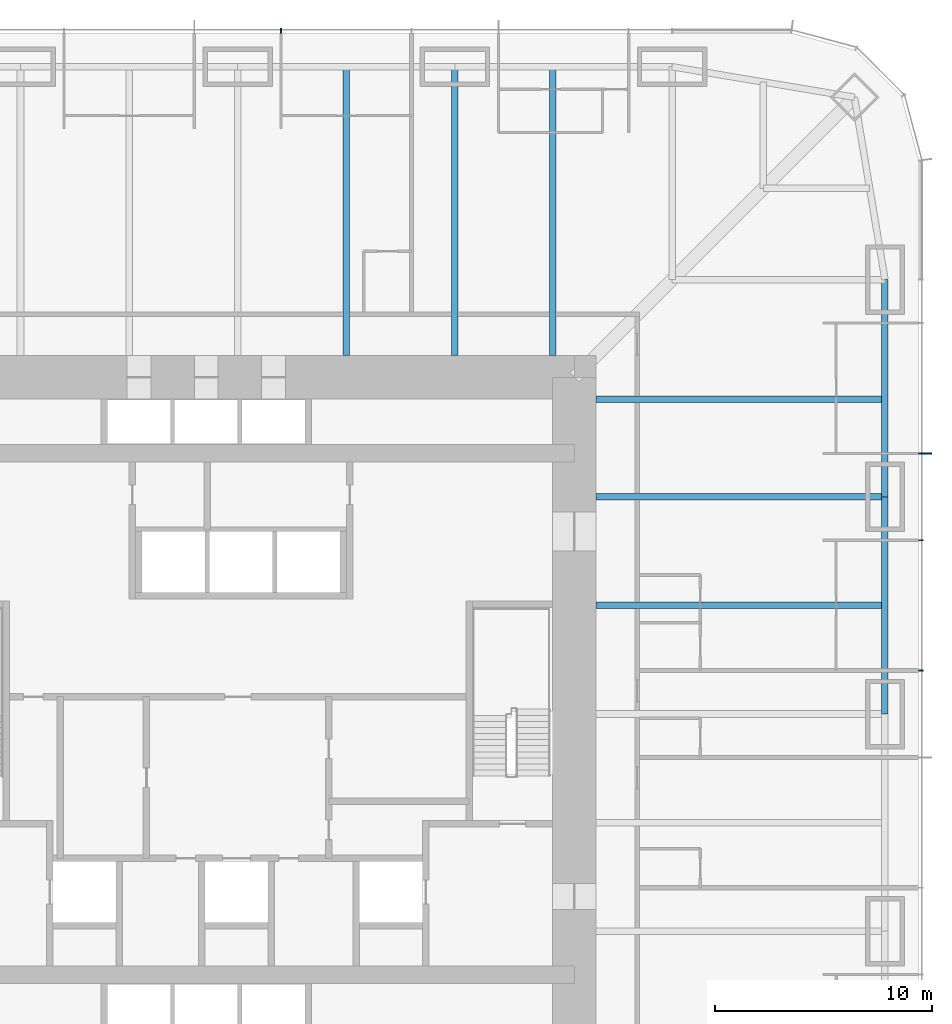
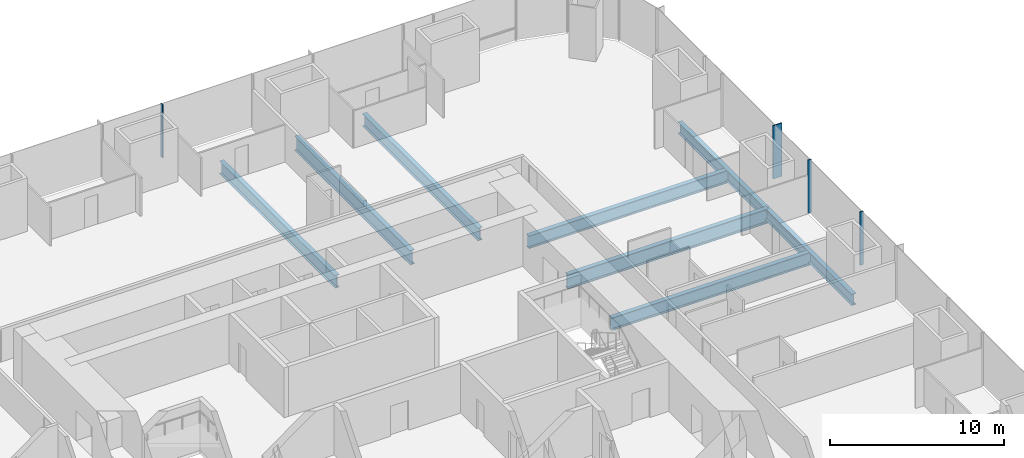
# One storey, part 8 of 16: 8 beams, 4 members, 2 elements without a shape of their own.
"""IFC4 building model written with IfcOpenShell, lengths in metres."""

import ifcopenshell
import ifcopenshell.guid

model = None  # the IFC model being written
_history = None  # IfcOwnerHistory: only IFC2X3 demands one
_inside = {}  # id of a spatial element -> (the spatial element, [elements in it])
_under = {}  # id of a project, library or spatial element -> (it, [spatial elements below it])
_declared = {}  # id of a project -> (the project, [libraries it declares])
_typed = {}  # id of a type object -> (the type object, [elements of that type])
_made_of = {}  # id of a material, layer set ... -> (it, [elements and type objects made of it])


def new_model(schema):
    """Start an empty IFC model of exactly this schema.

    Asked for "IFC4X3", IfcOpenShell would pick the latest addendum, in which some entities
    have other attributes; the version numbers below select the first issue.
    IFC2X3 requires an IfcOwnerHistory on every rooted entity: one is made here for all.
    """
    global model, _history
    if schema == "IFC4X3":
        model = ifcopenshell.file(schema_version=(4, 3, 0, 0))
    else:
        model = ifcopenshell.file(schema=schema)
    _inside.clear()
    _under.clear()
    _declared.clear()
    _typed.clear()
    _made_of.clear()
    _history = None
    if model.schema == "IFC2X3":
        org = make("IfcOrganization", Name="unknown")
        user = make(
            "IfcPersonAndOrganization",
            ThePerson=make("IfcPerson", FamilyName="unknown"),
            TheOrganization=org,
        )
        app = make(
            "IfcApplication",
            ApplicationDeveloper=org,
            Version="unknown",
            ApplicationFullName="unknown",
            ApplicationIdentifier="unknown",
        )
        _history = make(
            "IfcOwnerHistory",
            OwningUser=user,
            OwningApplication=app,
            ChangeAction="ADDED",
            CreationDate=0,
        )
    return model


def make(cls, **values):
    """One entity of the class cls with the attributes given. An attribute that is None is left unset."""
    return model.create_entity(
        cls, **{name: value for name, value in values.items() if value is not None}
    )


def rooted(cls, **values):
    """An entity with a GlobalId (a new one), such as an element, a storey or a relation."""
    return make(cls, GlobalId=ifcopenshell.guid.new(), OwnerHistory=_history, **values)


def si_unit(unit_type, name, prefix=None):
    """IfcSIUnit, for example si_unit("LENGTHUNIT", "METRE", prefix="MILLI")."""
    return make("IfcSIUnit", UnitType=unit_type, Prefix=prefix, Name=name)


def assignment(units):
    """IfcUnitAssignment: the units of a project."""
    return None if units is None else make("IfcUnitAssignment", Units=units)


def point(xyz):
    """IfcCartesianPoint."""
    return None if xyz is None else make("IfcCartesianPoint", Coordinates=xyz)


def direction(xyz):
    """IfcDirection."""
    return None if xyz is None else make("IfcDirection", DirectionRatios=xyz)


def frame(location, z_axis=None, x_axis=None):
    """IfcAxis2Placement3D, a coordinate frame: its origin and axes. An axis left out is left unset."""
    return make(
        "IfcAxis2Placement3D",
        Location=point(location),
        Axis=direction(z_axis),
        RefDirection=direction(x_axis),
    )


def frame_2d(location, x_axis=None):
    """IfcAxis2Placement2D, a coordinate frame in the plane: its origin and x axis."""
    return make(
        "IfcAxis2Placement2D", Location=point(location), RefDirection=direction(x_axis)
    )


def origin():
    """The frame at (0, 0, 0) with its axes left unset."""
    return frame((0.0, 0.0, 0.0))


def origin_2d():
    """The frame at (0, 0) in the plane with its x axis left unset."""
    return frame_2d((0.0, 0.0))


def place(relative_to, where):
    """IfcLocalPlacement: puts the frame where relative to a parent placement (None: the world)."""
    return make(
        "IfcLocalPlacement", PlacementRelTo=relative_to, RelativePlacement=where
    )


def context(
    kind, dimensions, precision=None, world=None, true_north=None, identifier=None
):
    """IfcGeometricRepresentationContext, for example the 3D "Model" context."""
    return make(
        "IfcGeometricRepresentationContext",
        ContextIdentifier=identifier,
        ContextType=kind,
        CoordinateSpaceDimension=dimensions,
        Precision=precision,
        WorldCoordinateSystem=world,
        TrueNorth=true_north,
    )


def subcontext(parent, identifier, kind, view, scale=None):
    """IfcGeometricRepresentationSubContext, for example "Body" below "Model"."""
    return make(
        "IfcGeometricRepresentationSubContext",
        ContextIdentifier=identifier,
        ContextType=kind,
        ParentContext=parent,
        TargetScale=scale,
        TargetView=view,
    )


def project(units=None, contexts=None):
    """IfcProject with its units and contexts."""
    return rooted(
        "IfcProject",
        Name="project",
        RepresentationContexts=contexts,
        UnitsInContext=assignment(units),
    )


def spatial(cls, under=None, at=None, **own):
    """A site, building, storey or space (cls), placed at a placement, below another one or the project."""
    s = rooted(cls, ObjectPlacement=at, **own)
    if under is not None:
        _under.setdefault(under.id(), (under, []))[1].append(s)
    return s


def profile(cls, at=None, kind="AREA", **sizes):
    """A parametric profile (cls). Its sizes go by their IFC names, for example OverallWidth=200.0."""
    return make(cls, ProfileType=kind, Position=at, **sizes)


def rectangle(**sizes):
    """IfcRectangleProfileDef."""
    return profile("IfcRectangleProfileDef", **sizes)


def i_section(**sizes):
    """IfcIShapeProfileDef."""
    return profile("IfcIShapeProfileDef", **sizes)


def extrude(swept, where, along, depth):
    """IfcExtrudedAreaSolid: the profile swept, set in the frame where, extruded along a direction by depth."""
    return make(
        "IfcExtrudedAreaSolid",
        SweptArea=swept,
        Position=where,
        ExtrudedDirection=direction(along),
        Depth=depth,
    )


def shape(context_of_items, identifier, shape_type, items):
    """IfcShapeRepresentation: the items that make up one representation, for example the "Body"."""
    return make(
        "IfcShapeRepresentation",
        ContextOfItems=context_of_items,
        RepresentationIdentifier=identifier,
        RepresentationType=shape_type,
        Items=items,
    )


def material(Name=None, Category=None):
    """IfcMaterial."""
    return make("IfcMaterial", Name=Name, Category=Category)


def material_profile(
    of_material, cross_section, Name=None, Category=None, Priority=None
):
    """IfcMaterialProfile: a cross section and its material."""
    return make(
        "IfcMaterialProfile",
        Name=Name,
        Material=of_material,
        Profile=cross_section,
        Priority=Priority,
        Category=Category,
    )


def profile_set(profiles, Name=None, composite=None):
    """IfcMaterialProfileSet."""
    return make(
        "IfcMaterialProfileSet",
        Name=Name,
        MaterialProfiles=profiles,
        CompositeProfile=composite,
    )


def made_of(thing, what):
    """Note that an element or type object is made of a material, layer set ...; save() writes the relation."""
    if what is not None:
        _made_of.setdefault(what.id(), (what, []))[1].append(thing)
    return thing


def type_object(cls, material=None, **own):
    """A type object (cls), such as IfcWallType, which elements share."""
    return made_of(rooted(cls, **own), material)


def element(
    cls,
    number,
    at=None,
    inside=None,
    cuts=None,
    type_object=None,
    material=None,
    context=None,
    identifier="Body",
    shape_type=None,
    held_by="IfcProductDefinitionShape",
    body=None,
    shapes=None,
    **own,
):
    """One element of the class cls, such as IfcWall. Its Tag is "e" and its number.

    at: its placement. inside: the storey or other place that contains it. cuts: it is an
    opening in that element (IfcRelVoidsElement). A single representation is given by context,
    identifier, shape_type and body (its items); several are given by shapes. held_by: the class
    of the entity that holds the representations. save() writes the other relations.
    """
    e = rooted(cls, Tag="e%d" % number, ObjectPlacement=at, **own)
    if body is not None:
        shapes = [shape(context, identifier, shape_type, body)]
    if shapes is not None:
        e.Representation = make(held_by, Representations=shapes)
    if inside is not None:
        _inside.setdefault(inside.id(), (inside, []))[1].append(e)
    if cuts is not None:
        rooted(
            "IfcRelVoidsElement", RelatingBuildingElement=cuts, RelatedOpeningElement=e
        )
    if type_object is not None:
        _typed.setdefault(type_object.id(), (type_object, []))[1].append(e)
    return made_of(e, material)


def aggregate(whole, parts):
    """IfcRelAggregates: a whole, such as a stair, and the parts it consists of."""
    return rooted("IfcRelAggregates", RelatingObject=whole, RelatedObjects=parts)


def save(model, path):
    """Write the relations noted so far, then the file.

    IfcRelAggregates (storeys below a building ...), IfcRelContainedInSpatialStructure (elements
    in a storey), IfcRelDefinesByType, IfcRelAssociatesMaterial and IfcRelDeclares: one each for
    every whole, place, type object, material and project.
    """
    for whole, parts in _under.values():
        aggregate(whole, parts)
    for where, things in _inside.values():
        rooted(
            "IfcRelContainedInSpatialStructure",
            RelatedElements=things,
            RelatingStructure=where,
        )
    for kind, things in _typed.values():
        rooted("IfcRelDefinesByType", RelatedObjects=things, RelatingType=kind)
    for what, things in _made_of.values():
        rooted("IfcRelAssociatesMaterial", RelatedObjects=things, RelatingMaterial=what)
    for by, libraries in _declared.values():
        rooted("IfcRelDeclares", RelatingContext=by, RelatedDefinitions=libraries)
    model.write(path)


model = new_model("IFC4")

# Units and contexts
model_context = context("Model", 3, precision=1e-05, world=origin(), true_north=direction((0.0, 1.0)))
body_context = subcontext(model_context, "Body", "Model", "MODEL_VIEW")
ifc_project = project(units=[si_unit("LENGTHUNIT", "METRE"), si_unit("AREAUNIT", "SQUARE_METRE"), si_unit("VOLUMEUNIT", "CUBIC_METRE"), si_unit("PLANEANGLEUNIT", "RADIAN"), si_unit("MASSUNIT", "GRAM", prefix="KILO")], contexts=[model_context])

# Site, building, storey
site_placement = place(None, origin())
site = spatial("IfcSite", under=ifc_project, at=site_placement, CompositionType="ELEMENT")
building_placement = place(site_placement, origin())
building = spatial("IfcBuilding", under=site, at=building_placement, Name="Khuree Lantern Residences", CompositionType="ELEMENT")
storey_placement = place(building_placement, frame((0.0, 0.0, 54.75)))
storey = spatial("IfcBuildingStorey", under=building, at=storey_placement, Name="L13", CompositionType="ELEMENT", Elevation=54.75)

# Beams
ifc_material_1 = material(Name="Steel S355", Category="steel")
ifc_material_profile_1 = material_profile(ifc_material_1, i_section(OverallWidth=0.300048828125, OverallDepth=0.889892578125, WebThickness=0.01611328125, FlangeThickness=0.030029296875, FilletRadius=0.030029296875, at=origin_2d()), Name="HE 900 A")
ifc_profile_set_1 = profile_set([ifc_material_profile_1], Name="Steel S355")
beam_type_1 = type_object("IfcBeamType", Name="B-13 SECONDARY BEAM HE 900 A", PredefinedType="BEAM", material=ifc_profile_set_1)
for number, where, z_axis, x_axis, name in (
    (1, (5.0, 29.800048828125, -0.695068359375), (0.0, -1.0, 0.0), (1.0, 0.0, 0.0), "Secondary beam N3"),
    (2, (14.5, 29.800048828125, -0.695068359375), (0.0, -1.0, 0.0), (1.0, 0.0, 0.0), "Secondary beam N4"),
    (3, (29.800048828125, 14.5, -0.695068359375), (-1.0, 0.0, 0.0), (0.0, -1.0, 0.0), "Secondary beam E2"),
    (4, (29.800048828125, 5.0, -0.695068359375), (-1.0, 0.0, 0.0), (0.0, -1.0, 0.0), "Secondary beam E3"),
):
    element("IfcBeam", number, at=place(storey_placement, frame(where, z_axis=z_axis, x_axis=x_axis)), inside=storey, type_object=beam_type_1, Name=name, PredefinedType="BEAM", context=body_context, shape_type="SweptSolid", body=[
        extrude(i_section(OverallWidth=0.300048828125, OverallDepth=0.889892578125, WebThickness=0.01611328125, FlangeThickness=0.030029296875, FilletRadius=0.030029296875, at=origin_2d()), origin(), (0.0, 0.0, 1.0), 13.300048828125),
    ])
ifc_material_profile_2 = material_profile(ifc_material_1, i_section(OverallWidth=0.300048828125, OverallDepth=0.7900390625, WebThickness=0.014892578125, FlangeThickness=0.028076171875, FilletRadius=0.030029296875, at=origin_2d()), Name="HE 800 A")
ifc_profile_set_2 = profile_set([ifc_material_profile_2], Name="Steel S355")
beam_type_2 = type_object("IfcBeamType", Name="E-13 SPANDREL BEAM HE 800 A", PredefinedType="SPANDREL", material=ifc_profile_set_2)
for number, where, z_axis, x_axis, name in (
    (5, (29.800048828125, 20.0, -0.64501953125), (0.0, -1.0, 0.0), (1.0, 0.0, 0.0), "Spandrel beam E2"),
    (6, (29.800048828125, 10.0, -0.64501953125), (0.0, -1.0, 0.0), (1.0, 0.0, 0.0), "Spandrel beam E3"),
):
    element("IfcBeam", number, at=place(storey_placement, frame(where, z_axis=z_axis, x_axis=x_axis)), inside=storey, type_object=beam_type_2, Name=name, PredefinedType="SPANDREL", context=body_context, shape_type="SweptSolid", body=[
        extrude(i_section(OverallWidth=0.300048828125, OverallDepth=0.7900390625, WebThickness=0.014892578125, FlangeThickness=0.028076171875, FilletRadius=0.030029296875, at=origin_2d()), origin(), (0.0, 0.0, 1.0), 10.0),
    ])

# Curtain wall, member
ifc_material_2 = material(Name="Bronze anodised aluminium", Category="aluminium")
curtain_wall_type = type_object("IfcCurtainWallType", Name="CW-T1 TOWER FACE CURTAIN WALL", PredefinedType="USERDEFINED", material=ifc_material_2)
curtain_wall_1_placement = place(storey_placement, origin())
curtain_wall_1 = element("IfcCurtainWall", 7, at=curtain_wall_1_placement, inside=storey, type_object=curtain_wall_type, Name="L13 EAST FACE CURTAIN WALL", ObjectType="Stick-built curtain wall", PredefinedType="USERDEFINED")
ifc_material_profile_3 = material_profile(ifc_material_2, rectangle(XDim=0.06494140625, YDim=0.60009765625, at=origin_2d()), Name="F1 65X600")
ifc_profile_set_3 = profile_set([ifc_material_profile_3], Name="Bronze anodised aluminium")
member_type_1 = type_object("IfcMemberType", Name="F1 BRONZE FIN MULLION TOWER 65X600", PredefinedType="MULLION", material=ifc_profile_set_3)
member_1_placement = place(storey_placement, frame((31.64990234375, 12.0, 0.0), z_axis=(0.0, 0.0, 1.0), x_axis=(0.0, 1.0, 0.0)))
member_1 = element("IfcMember", 8, at=member_1_placement, type_object=member_type_1, Name="L13 EAST FACE FIN MULLION 12", PredefinedType="MULLION", context=body_context, shape_type="SweptSolid", body=[
    extrude(rectangle(XDim=0.06494140625, YDim=0.60009765625, at=origin_2d()), origin(), (0.0, 0.0, 1.0), 3.75),
])

# Beams
ifc_material_profile_4 = material_profile(ifc_material_1, i_section(OverallWidth=0.302001953125, OverallDepth=1.008056640625, WebThickness=0.02099609375, FlangeThickness=0.0400390625, FilletRadius=0.030029296875, at=origin_2d()), Name="HE 1000 M")
ifc_profile_set_4 = profile_set([ifc_material_profile_4], Name="Steel S355")
beam_type_3 = type_object("IfcBeamType", Name="G-13 GIRDER HE 1000 M", PredefinedType="BEAM", material=ifc_profile_set_4)
for number, where, z_axis, x_axis, name in (
    (9, (10.0, 29.800048828125, -0.75390625), (0.0, -1.0, 0.0), (1.0, 0.0, 0.0), "Girder N4"),
    (10, (29.800048828125, 10.0, -0.75390625), (-1.0, 0.0, 0.0), (0.0, -1.0, 0.0), "Girder E2"),
):
    element("IfcBeam", number, at=place(storey_placement, frame(where, z_axis=z_axis, x_axis=x_axis)), inside=storey, type_object=beam_type_3, Name=name, PredefinedType="BEAM", context=body_context, shape_type="SweptSolid", body=[
        extrude(i_section(OverallWidth=0.302001953125, OverallDepth=1.008056640625, WebThickness=0.02099609375, FlangeThickness=0.0400390625, FilletRadius=0.030029296875, at=origin_2d()), origin(), (0.0, 0.0, 1.0), 13.300048828125),
    ])

# Member
ifc_material_profile_5 = material_profile(ifc_material_2, rectangle(XDim=0.06494140625, YDim=0.219970703125, at=origin_2d()), Name="M1 65X220")
ifc_profile_set_5 = profile_set([ifc_material_profile_5], Name="Bronze anodised aluminium")
member_type_2 = type_object("IfcMemberType", Name="M1 BRONZE MULLION TOWER 65X220", PredefinedType="MULLION", material=ifc_profile_set_5)
member_2_placement = place(storey_placement, frame((31.4599609375, 2.0, 0.0), z_axis=(0.0, 0.0, 1.0), x_axis=(0.0, 1.0, 0.0)))
member_2 = element("IfcMember", 11, at=member_2_placement, type_object=member_type_2, Name="L13 EAST FACE MULLION 10", PredefinedType="MULLION", context=body_context, shape_type="SweptSolid", body=[
    extrude(rectangle(XDim=0.06494140625, YDim=0.219970703125, at=origin_2d()), origin(), (0.0, 0.0, 1.0), 3.75),
])

member_3_placement = place(storey_placement, frame((31.4599609375, 8.0, 0.0), z_axis=(0.0, 0.0, 1.0), x_axis=(0.0, 1.0, 0.0)))
member_3 = element("IfcMember", 12, at=member_3_placement, type_object=member_type_2, Name="L13 EAST FACE MULLION 11", PredefinedType="MULLION", context=body_context, shape_type="SweptSolid", body=[
    extrude(rectangle(XDim=0.06494140625, YDim=0.219970703125, at=origin_2d()), origin(), (0.0, 0.0, 1.0), 3.75),
])

aggregate(curtain_wall_1, [member_2, member_3, member_1])

# Curtain wall, member
curtain_wall_2_placement = place(storey_placement, origin())
curtain_wall_2 = element("IfcCurtainWall", 13, at=curtain_wall_2_placement, inside=storey, type_object=curtain_wall_type, Name="L13 NORTH FACE CURTAIN WALL", ObjectType="Stick-built curtain wall", PredefinedType="USERDEFINED")
member_4_placement = place(storey_placement, frame((2.0, 31.4599609375, 0.0), z_axis=(0.0, 0.0, 1.0), x_axis=(-1.0, 0.0, 0.0)))
member_4 = element("IfcMember", 14, at=member_4_placement, type_object=member_type_2, Name="L13 NORTH FACE MULLION 23", PredefinedType="MULLION", context=body_context, shape_type="SweptSolid", body=[
    extrude(rectangle(XDim=0.06494140625, YDim=0.219970703125, at=origin_2d()), origin(), (0.0, 0.0, 1.0), 3.75),
])
aggregate(curtain_wall_2, [member_4])

save(model, "model.ifc")
